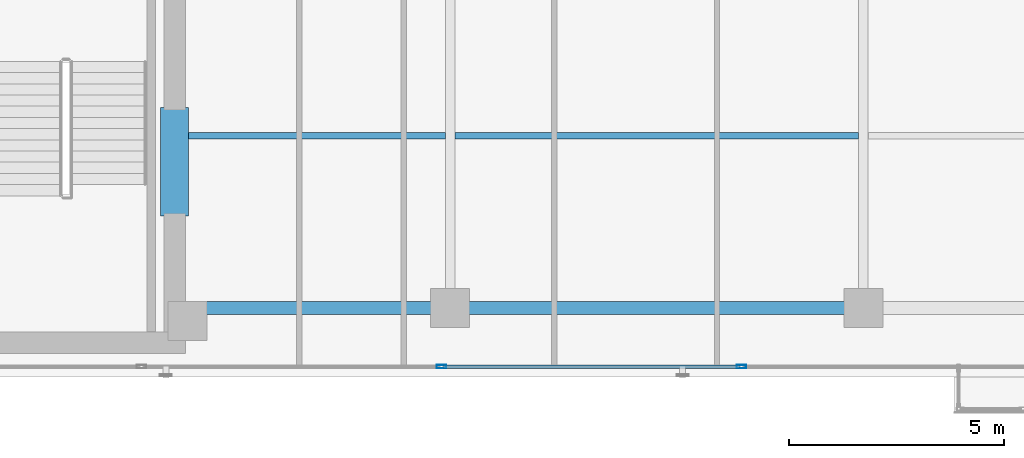
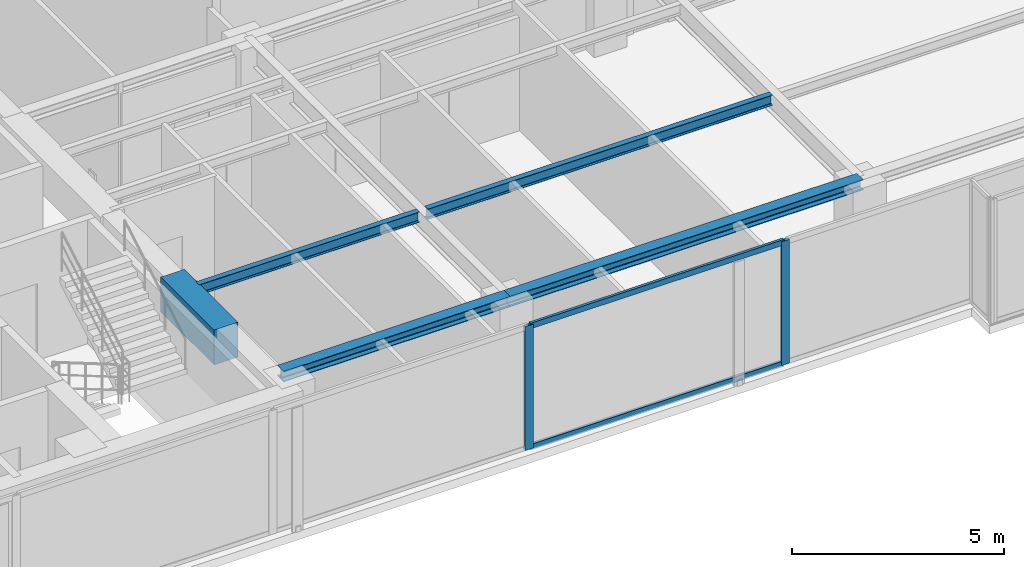
# One storey, part 4 of 23: 5 beams, 4 members, 1 element without a shape of its own.
"""IFC4 building model written with IfcOpenShell, lengths in metres."""

from ifc_helpers import new_model, si_unit, direction, frame, origin, origin_with_axes, origin_2d, place, context, subcontext, project, spatial, rectangle, hollow_rectangle, i_section, extrude, source, transform, mapped, material, layer, layer_set, material_profile, profile_set, type_object, element, aggregate, save


model = new_model("IFC4")

# Units and contexts
model_context = context("Model", 3, precision=1e-05, world=origin(), true_north=direction((0.0, 1.0)))
body_context = subcontext(model_context, "Body", "Model", "MODEL_VIEW")
ifc_project = project(units=[si_unit("LENGTHUNIT", "METRE"), si_unit("AREAUNIT", "SQUARE_METRE"), si_unit("VOLUMEUNIT", "CUBIC_METRE"), si_unit("PLANEANGLEUNIT", "RADIAN"), si_unit("MASSUNIT", "GRAM", prefix="KILO")], contexts=[model_context])

# Site, building, storey
site_placement = place(None, origin())
site = spatial("IfcSite", under=ifc_project, at=site_placement, CompositionType="ELEMENT")
building_placement = place(site_placement, origin())
building = spatial("IfcBuilding", under=site, at=building_placement, Name="Kolvaren Waterfront Exchange", CompositionType="ELEMENT")
storey_placement = place(building_placement, frame((0.0, 0.0, 304.60009765625)))
storey = spatial("IfcBuildingStorey", under=building, at=storey_placement, Name="L78", CompositionType="ELEMENT", Elevation=304.60009765625)

# Beams
ifc_material_1 = material(Name="Steel S355", Category="steel")
ifc_material_profile_1 = material_profile(ifc_material_1, i_section(OverallWidth=0.300048828125, OverallDepth=0.300048828125, WebThickness=0.010986328125, FlangeThickness=0.01904296875, FilletRadius=0.027099609375, at=origin_2d()), Name="HEB300")
ifc_profile_set_1 = profile_set([ifc_material_profile_1], Name="Steel S355")
beam_type_1 = type_object("IfcBeamType", Name="STR-BM-HEB300", PredefinedType="SPANDREL", material=ifc_profile_set_1)
beam_1_placement = place(storey_placement, frame((21.050048828125, 5.199951171875, 3.409912109375), z_axis=(1.0, 0.0, 0.0), x_axis=(0.0, 1.0, 0.0)))
element("IfcBeam", 1, at=beam_1_placement, inside=storey, type_object=beam_type_1, Name="L78 east-arm spandrel S1", PredefinedType="SPANDREL", context=body_context, shape_type="SweptSolid", body=[
    extrude(i_section(OverallWidth=0.300048828125, OverallDepth=0.300048828125, WebThickness=0.010986328125, FlangeThickness=0.01904296875, FilletRadius=0.027099609375, at=origin_2d()), origin(), (0.0, 0.0, 1.0), 6.14990234375),
])
beam_2_placement = place(storey_placement, frame((27.199951171875, 5.199951171875, 3.409912109375), z_axis=(1.0, 0.0, 0.0), x_axis=(0.0, 1.0, 0.0)))
element("IfcBeam", 2, at=beam_2_placement, inside=storey, type_object=beam_type_1, Name="L78 east-arm spandrel S2", PredefinedType="SPANDREL", context=body_context, shape_type="SweptSolid", body=[
    extrude(i_section(OverallWidth=0.300048828125, OverallDepth=0.300048828125, WebThickness=0.010986328125, FlangeThickness=0.01904296875, FilletRadius=0.027099609375, at=origin_2d()), origin(), (0.0, 0.0, 1.0), 9.60009765625),
])
ifc_material_profile_2 = material_profile(ifc_material_1, i_section(OverallWidth=0.14990234375, OverallDepth=0.300048828125, WebThickness=0.007080078125, FlangeThickness=0.0107421875, FilletRadius=0.014892578125, at=origin_2d()), Name="IPE300")
ifc_profile_set_2 = profile_set([ifc_material_profile_2], Name="Steel S355")
beam_type_2 = type_object("IfcBeamType", Name="STR-BM-IPE300", PredefinedType="JOIST", material=ifc_profile_set_2)
beam_3_placement = place(storey_placement, frame((21.10009765625, 9.199951171875, 3.409912109375), z_axis=(1.0, 0.0, 0.0), x_axis=(0.0, 1.0, 0.0)))
element("IfcBeam", 3, at=beam_3_placement, inside=storey, type_object=beam_type_2, Name="L78 east-arm composite joist 1B", PredefinedType="JOIST", context=body_context, shape_type="SweptSolid", body=[
    extrude(i_section(OverallWidth=0.14990234375, OverallDepth=0.300048828125, WebThickness=0.007080078125, FlangeThickness=0.0107421875, FilletRadius=0.014892578125, at=origin_2d()), origin(), (0.0, 0.0, 1.0), 5.98779296875),
])
beam_4_placement = place(storey_placement, frame((27.31201171875, 9.199951171875, 3.409912109375), z_axis=(1.0, 0.0, 0.0), x_axis=(0.0, 1.0, 0.0)))
element("IfcBeam", 4, at=beam_4_placement, inside=storey, type_object=beam_type_2, Name="L78 east-arm composite joist 2B", PredefinedType="JOIST", context=body_context, shape_type="SweptSolid", body=[
    extrude(i_section(OverallWidth=0.14990234375, OverallDepth=0.300048828125, WebThickness=0.007080078125, FlangeThickness=0.0107421875, FilletRadius=0.014892578125, at=origin_2d()), origin(), (0.0, 0.0, 1.0), 9.3759765625),
])
ifc_material_2 = material(Name="Concrete C60/75", Category="concrete")
ifc_material_profile_3 = material_profile(ifc_material_2, rectangle(XDim=0.64990234375, YDim=1.0, at=origin_2d()), Name="RC-CB-1000x650")
ifc_profile_set_3 = profile_set([ifc_material_profile_3], Name="Concrete C60/75")
beam_type_3 = type_object("IfcBeamType", Name="STR-CB-1000", PredefinedType="SPANDREL", material=ifc_profile_set_3)
beam_5_placement = place(storey_placement, frame((20.800048828125, 7.340087890625, 3.059814453125), z_axis=(0.0, 1.0, 0.0), x_axis=(-1.0, 0.0, 0.0)))
element("IfcBeam", 5, at=beam_5_placement, inside=storey, type_object=beam_type_3, Name="L78 core coupling beam 1", PredefinedType="SPANDREL", context=body_context, shape_type="SweptSolid", body=[
    extrude(rectangle(XDim=0.64990234375, YDim=1.0, at=origin_2d()), origin(), (0.0, 0.0, 1.0), 2.52001953125),
])

# Curtain wall, members
ifc_material_3 = material(Name="Anodised bronze aluminium 6063-T6", Category="aluminium")
ifc_layer = layer(ifc_material_3, 0.219970703125, Name="Anodised bronze aluminium 6063-T6")
ifc_layer_set = layer_set([ifc_layer], Name="Anodised bronze aluminium 6063-T6")
curtain_wall_type = type_object("IfcCurtainWallType", Name="ARC-CW-SYS1", PredefinedType="USERDEFINED", material=ifc_layer_set)
curtain_wall_placement = place(storey_placement, origin())
curtain_wall = element("IfcCurtainWall", 6, at=curtain_wall_placement, inside=storey, type_object=curtain_wall_type, Name="L78 stick curtain wall CW1 (CW-L78-S)", ObjectType="STICK CURTAIN WALL", PredefinedType="USERDEFINED")
ifc_material_4 = material(Name="Anodised aluminium 6063-T6", Category="aluminium")
ifc_material_profile_4 = material_profile(ifc_material_4, hollow_rectangle(XDim=0.080078125, YDim=0.219970703125, WallThickness=0.0048828125, at=origin_2d()), Name="ALU-MUL-220x80x5")
ifc_profile_set_4 = profile_set([ifc_material_profile_4], Name="Anodised aluminium 6063-T6")
member_type_1 = type_object("IfcMemberType", Name="ARC-CWM-220", PredefinedType="MULLION", material=ifc_profile_set_4)
shared_shape_1 = source(origin_with_axes(), body_context, "Body", "SweptSolid", [
    extrude(hollow_rectangle(XDim=0.080078125, YDim=0.219970703125, WallThickness=0.0048828125, at=origin_2d()), origin(), (0.0, 0.0, 1.0), 3.559814453125),
])
member_1_placement = place(storey_placement, frame((26.997314453125, 3.840087890625, 0.0), z_axis=(0.0, 0.0, 1.0), x_axis=(0.0, 1.0, 0.0)))
member_1 = element("IfcMember", 7, at=member_1_placement, type_object=member_type_1, Name="CW1 mullion 4", PredefinedType="MULLION", context=body_context, shape_type="MappedRepresentation", body=[
    mapped(shared_shape_1, transform((0.0, 0.0, 0.0), x_axis=(1.0, 0.0, 0.0), y_axis=(0.0, 1.0, 0.0), z_axis=(0.0, 0.0, 1.0), scale=1.0)),
])
member_2_placement = place(storey_placement, frame((33.963134765625, 3.840087890625, 0.0), z_axis=(0.0, 0.0, 1.0), x_axis=(0.0, 1.0, 0.0)))
member_2 = element("IfcMember", 8, at=member_2_placement, type_object=member_type_1, Name="CW1 mullion 5", PredefinedType="MULLION", context=body_context, shape_type="MappedRepresentation", body=[
    mapped(shared_shape_1, transform((0.0, 0.0, 0.0), x_axis=(1.0, 0.0, 0.0), y_axis=(0.0, 1.0, 0.0), z_axis=(0.0, 0.0, 1.0), scale=1.0)),
])
ifc_material_profile_5 = material_profile(ifc_material_4, hollow_rectangle(XDim=0.074951171875, YDim=0.159912109375, WallThickness=0.00439453125, at=origin_2d()), Name="ALU-TRN-160x75x4.5")
ifc_profile_set_5 = profile_set([ifc_material_profile_5], Name="Anodised aluminium 6063-T6")
member_type_2 = type_object("IfcMemberType", Name="ARC-CWT-160", PredefinedType="USERDEFINED", material=ifc_profile_set_5)
shared_shape_2 = source(origin_with_axes(), body_context, "Body", "SweptSolid", [
    extrude(hollow_rectangle(XDim=0.074951171875, YDim=0.159912109375, WallThickness=0.00439453125, at=origin_2d()), origin(), (0.0, 0.0, 1.0), 6.8857421875),
])
member_3_placement = place(storey_placement, frame((27.037353515625, 3.840087890625, 0.037353515625), z_axis=(1.0, 0.0, 0.0), x_axis=(0.0, 1.0, 0.0)))
member_3 = element("IfcMember", 9, at=member_3_placement, type_object=member_type_2, Name="CW1 transom 4.1", ObjectType="TRANSOM", PredefinedType="USERDEFINED", context=body_context, shape_type="MappedRepresentation", body=[
    mapped(shared_shape_2, transform((0.0, 0.0, 0.0), x_axis=(1.0, 0.0, 0.0), y_axis=(0.0, 1.0, 0.0), z_axis=(0.0, 0.0, 1.0), scale=1.0)),
])
member_4_placement = place(storey_placement, frame((27.037353515625, 3.840087890625, 3.5224609375), z_axis=(1.0, 0.0, 0.0), x_axis=(0.0, 1.0, 0.0)))
member_4 = element("IfcMember", 10, at=member_4_placement, type_object=member_type_2, Name="CW1 transom 4.2", ObjectType="TRANSOM", PredefinedType="USERDEFINED", context=body_context, shape_type="MappedRepresentation", body=[
    mapped(shared_shape_2, transform((0.0, 0.0, 0.0), x_axis=(1.0, 0.0, 0.0), y_axis=(0.0, 1.0, 0.0), z_axis=(0.0, 0.0, 1.0), scale=1.0)),
])
aggregate(curtain_wall, [member_1, member_2, member_3, member_4])

save(model, "model.ifc")
